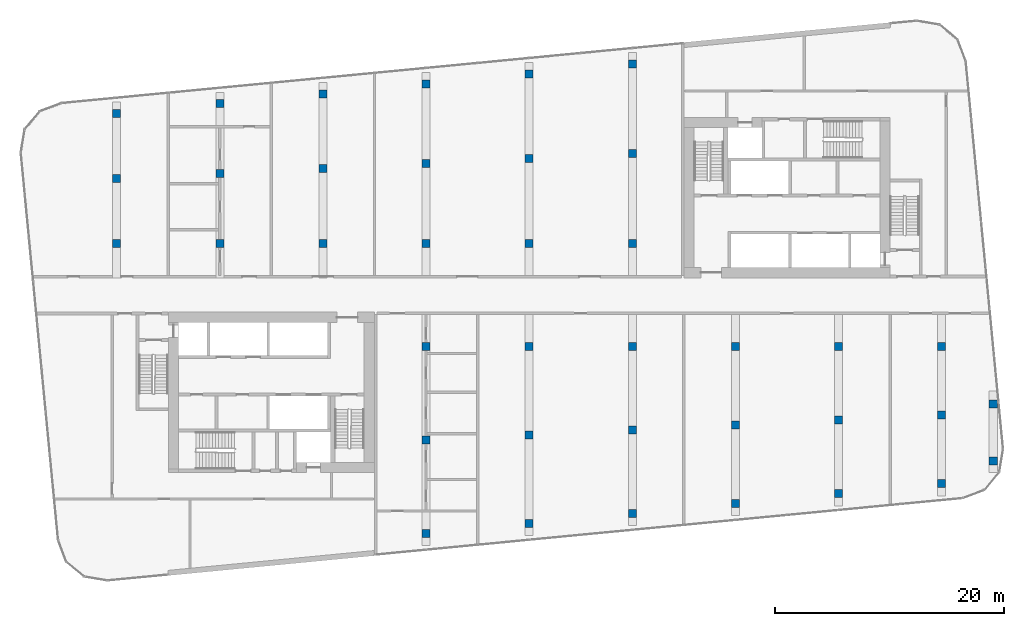
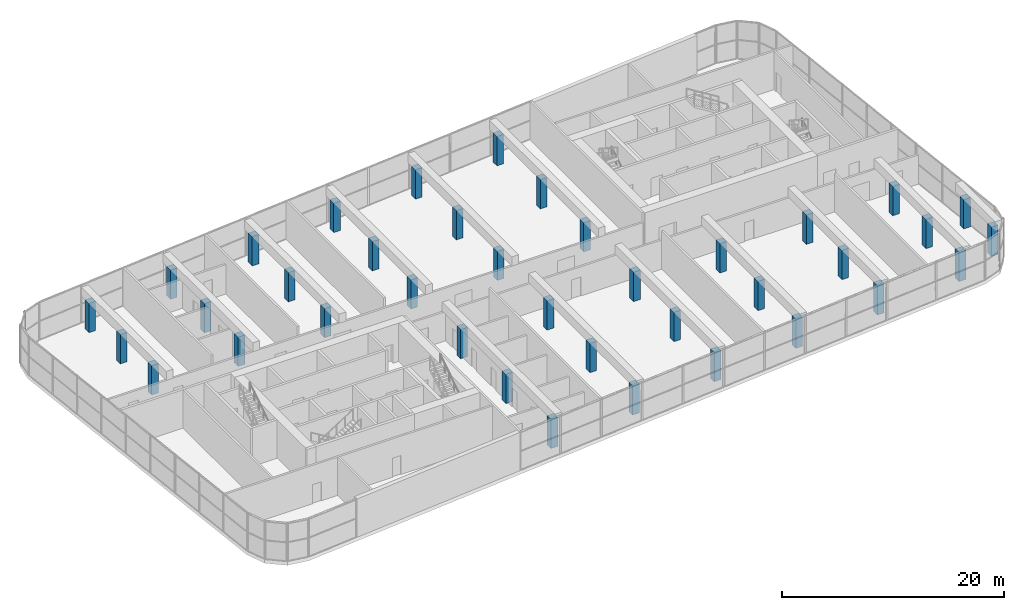
# One storey, part 1 of 21: 38 columns.
"""IFC4 building model written with IfcOpenShell, lengths in metres."""

from ifc_helpers import new_model, si_unit, direction, frame, origin, origin_2d, place, context, subcontext, project, spatial, rectangle, extrude, material, material_profile, profile_set, type_object, element, save


model = new_model("IFC4")

# Units and contexts
model_context = context("Model", 3, precision=1e-05, world=origin(), true_north=direction((0.0, 1.0)))
body_context = subcontext(model_context, "Body", "Model", "MODEL_VIEW")
ifc_project = project(units=[si_unit("LENGTHUNIT", "METRE"), si_unit("AREAUNIT", "SQUARE_METRE"), si_unit("VOLUMEUNIT", "CUBIC_METRE"), si_unit("PLANEANGLEUNIT", "RADIAN"), si_unit("MASSUNIT", "GRAM", prefix="KILO")], contexts=[model_context])

# Site, building, storey
site_placement = place(None, origin())
site = spatial("IfcSite", under=ifc_project, at=site_placement, CompositionType="ELEMENT")
building_placement = place(site_placement, origin())
building = spatial("IfcBuilding", under=site, at=building_placement, Name="Kajstack Hotel Tower", CompositionType="ELEMENT")
storey_placement = place(building_placement, frame((0.0, 0.0, 162.39990234375)))
storey = spatial("IfcBuildingStorey", under=building, at=storey_placement, Name="L37", CompositionType="ELEMENT", Elevation=162.39990234375)

# Columns
ifc_material = material(Name="Concrete C50/60", Category="concrete")
ifc_material_profile = material_profile(ifc_material, rectangle(XDim=0.699951171875, YDim=0.699951171875, at=origin_2d()), Name="RC 700x700")
ifc_profile_set = profile_set([ifc_material_profile], Name="Concrete C50/60")
column_type = type_object("IfcColumnType", Name="GC3 RC 700x700 C50/60", PredefinedType="COLUMN", material=ifc_profile_set)
for number, where, z_axis, x_axis, name in (
    (1, (-36.0, 4.5, 0.0), (0.0, 0.0, 1.0), (1.0, 0.0, 0.0), "S-col-g-L37--36p0+4p5"),
    (2, (-36.0, 10.16162109375, 0.0), (0.0, 0.0, 1.0), (1.0, 0.0, 0.0), "S-col-g-L37--36p0+10p2"),
    (3, (-36.0, 15.822998046875, 0.0), (0.0, 0.0, 1.0), (1.0, 0.0, 0.0), "S-col-g-L37--36p0+15p8"),
    (4, (-27.0, 4.5, 0.0), (0.0, 0.0, 1.0), (1.0, 0.0, 0.0), "S-col-g-L37--27p0+4p5"),
    (5, (-27.0, 10.594970703125, 0.0), (0.0, 0.0, 1.0), (1.0, 0.0, 0.0), "S-col-g-L37--27p0+10p6"),
    (6, (-27.0, 16.689697265625, 0.0), (0.0, 0.0, 1.0), (1.0, 0.0, 0.0), "S-col-g-L37--27p0+16p7"),
    (7, (-18.0, 4.5, 0.0), (0.0, 0.0, 1.0), (1.0, 0.0, 0.0), "S-col-g-L37--18p0+4p5"),
    (8, (-18.0, 11.028076171875, 0.0), (0.0, 0.0, 1.0), (1.0, 0.0, 0.0), "S-col-g-L37--18p0+11p0"),
    (9, (-18.0, 17.556396484375, 0.0), (0.0, 0.0, 1.0), (1.0, 0.0, 0.0), "S-col-g-L37--18p0+17p6"),
    (10, (-9.0, -20.799072265625, 0.0), (0.0, 0.0, 1.0), (1.0, 0.0, 0.0), "S-col-g-L37--9p0-20p8"),
    (11, (-9.0, -12.649658203125, 0.0), (0.0, 0.0, 1.0), (1.0, 0.0, 0.0), "S-col-g-L37--9p0-12p6"),
    (12, (-9.0, -4.5, 0.0), (0.0, 0.0, 1.0), (1.0, 0.0, 0.0), "S-col-g-L37--9p0-4p5"),
    (13, (-9.0, 4.5, 0.0), (0.0, 0.0, 1.0), (1.0, 0.0, 0.0), "S-col-g-L37--9p0+4p5"),
    (14, (-9.0, 11.46142578125, 0.0), (0.0, 0.0, 1.0), (1.0, 0.0, 0.0), "S-col-g-L37--9p0+11p5"),
    (15, (-9.0, 18.4228515625, 0.0), (0.0, 0.0, 1.0), (1.0, 0.0, 0.0), "S-col-g-L37--9p0+18p4"),
    (16, (0.0, -19.9326171875, 0.0), (0.0, 0.0, 1.0), (1.0, 0.0, 0.0), "S-col-g-L37-+0p0-19p9"),
    (17, (0.0, -12.21630859375, 0.0), (0.0, 0.0, 1.0), (1.0, 0.0, 0.0), "S-col-g-L37-+0p0-12p2"),
    (18, (0.0, -4.5, 0.0), (0.0, 0.0, 1.0), (1.0, 0.0, 0.0), "S-col-g-L37-+0p0-4p5"),
    (19, (0.0, 4.5, 0.0), (0.0, 0.0, 1.0), (1.0, 0.0, 0.0), "S-col-g-L37-+0p0+4p5"),
    (20, (0.0, 11.894775390625, 0.0), (0.0, 0.0, 1.0), (1.0, 0.0, 0.0), "S-col-g-L37-+0p0+11p9"),
    (21, (0.0, 19.28955078125, 0.0), (0.0, 0.0, 1.0), (1.0, 0.0, 0.0), "S-col-g-L37-+0p0+19p3"),
    (22, (9.0, -19.06591796875, 0.0), (0.0, 0.0, 1.0), (1.0, 0.0, 0.0), "S-col-g-L37-+9p0-19p1"),
    (23, (9.0, -11.782958984375, 0.0), (0.0, 0.0, 1.0), (1.0, 0.0, 0.0), "S-col-g-L37-+9p0-11p8"),
    (24, (9.0, -4.5, 0.0), (0.0, 0.0, 1.0), (1.0, 0.0, 0.0), "S-col-g-L37-+9p0-4p5"),
    (25, (9.0, 4.5, 0.0), (0.0, 0.0, 1.0), (1.0, 0.0, 0.0), "S-col-g-L37-+9p0+4p5"),
    (26, (9.0, 12.328125, 0.0), (0.0, 0.0, 1.0), (1.0, 0.0, 0.0), "S-col-g-L37-+9p0+12p3"),
    (27, (9.0, 20.156005859375, 0.0), (0.0, 0.0, 1.0), (1.0, 0.0, 0.0), "S-col-g-L37-+9p0+20p2"),
    (28, (18.0, -18.19921875, 0.0), (0.0, 0.0, 1.0), (1.0, 0.0, 0.0), "S-col-g-L37-+18p0-18p2"),
    (29, (18.0, -11.349609375, 0.0), (0.0, 0.0, 1.0), (1.0, 0.0, 0.0), "S-col-g-L37-+18p0-11p3"),
    (30, (18.0, -4.5, 0.0), (0.0, 0.0, 1.0), (1.0, 0.0, 0.0), "S-col-g-L37-+18p0-4p5"),
    (31, (27.0, -17.332763671875, 0.0), (0.0, 0.0, 1.0), (1.0, 0.0, 0.0), "S-col-g-L37-+27p0-17p3"),
    (32, (27.0, -10.916259765625, 0.0), (0.0, 0.0, 1.0), (1.0, 0.0, 0.0), "S-col-g-L37-+27p0-10p9"),
    (33, (27.0, -4.5, 0.0), (0.0, 0.0, 1.0), (1.0, 0.0, 0.0), "S-col-g-L37-+27p0-4p5"),
    (34, (36.0, -16.466064453125, 0.0), (0.0, 0.0, 1.0), (1.0, 0.0, 0.0), "S-col-g-L37-+36p0-16p5"),
    (35, (36.0, -10.483154296875, 0.0), (0.0, 0.0, 1.0), (1.0, 0.0, 0.0), "S-col-g-L37-+36p0-10p5"),
    (36, (36.0, -4.5, 0.0), (0.0, 0.0, 1.0), (1.0, 0.0, 0.0), "S-col-g-L37-+36p0-4p5"),
    (37, (40.5, -14.502685546875, 0.0), (0.0, 0.0, 1.0), (1.0, 0.0, 0.0), "S-col-g-L37-+40p5-14p5"),
    (38, (40.5, -9.501220703125, 0.0), (0.0, 0.0, 1.0), (1.0, 0.0, 0.0), "S-col-g-L37-+40p5-9p5"),
):
    element("IfcColumn", number, at=place(storey_placement, frame(where, z_axis=z_axis, x_axis=x_axis)), inside=storey, type_object=column_type, Name=name, PredefinedType="COLUMN", context=body_context, shape_type="SweptSolid", body=[
        extrude(rectangle(XDim=0.699951171875, YDim=0.699951171875, at=origin_2d()), origin(), (0.0, 0.0, 1.0), 3.22021484375),
    ])

save(model, "model.ifc")
